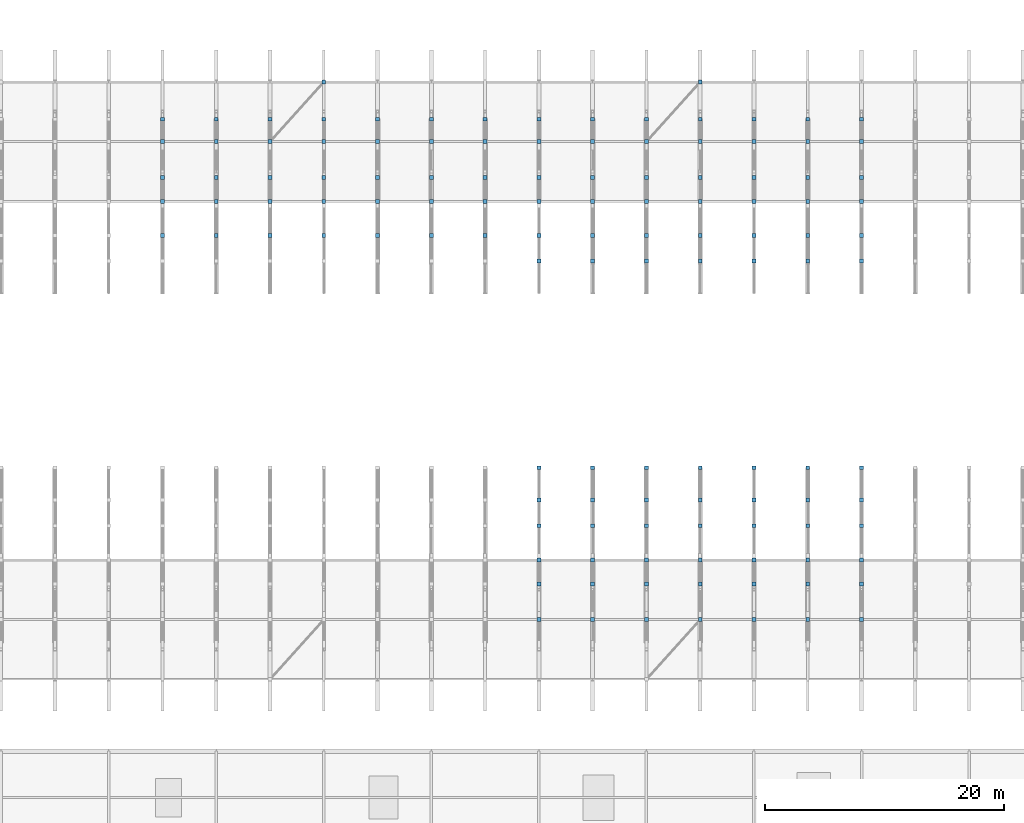
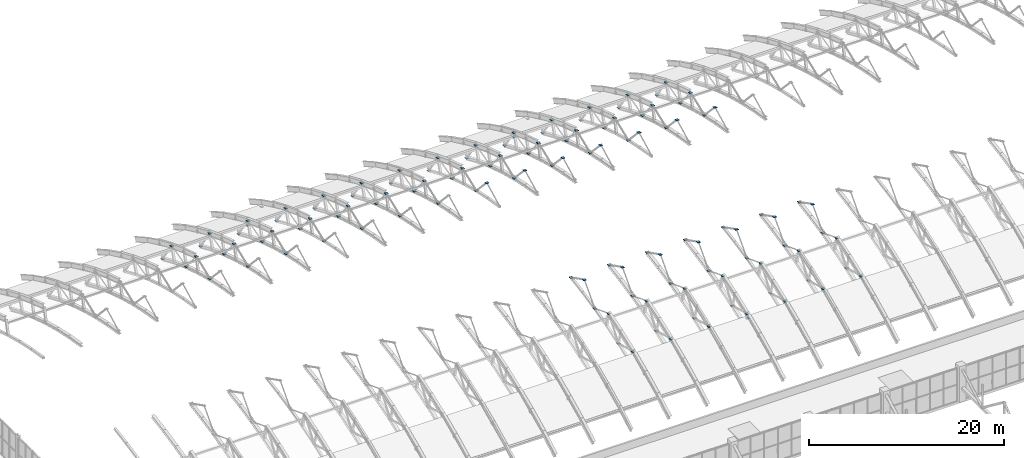
# One storey, part 97 of 103: 124 discrete accessories.
"""IFC4 building model written with IfcOpenShell, lengths in metres."""

from ifc_helpers import new_model, si_unit, direction, frame, origin, origin_2d, place, context, subcontext, project, spatial, rectangle, extrude, material, type_object, element, save


model = new_model("IFC4")

# Units and contexts
model_context = context("Model", 3, precision=1e-05, world=origin(), true_north=direction((0.0, 1.0)))
body_context = subcontext(model_context, "Body", "Model", "MODEL_VIEW")
ifc_project = project(units=[si_unit("LENGTHUNIT", "METRE"), si_unit("AREAUNIT", "SQUARE_METRE"), si_unit("VOLUMEUNIT", "CUBIC_METRE"), si_unit("PLANEANGLEUNIT", "RADIAN"), si_unit("MASSUNIT", "GRAM", prefix="KILO")], contexts=[model_context])

# Site, building, storey
site_placement = place(None, origin())
site = spatial("IfcSite", under=ifc_project, at=site_placement, CompositionType="ELEMENT")
building_placement = place(site_placement, origin())
building = spatial("IfcBuilding", under=site, at=building_placement, Name="Cazmaro Siding Exhibition Halls", CompositionType="ELEMENT")
storey_placement = place(building_placement, frame((0.0, 0.0, 16.5)))
storey = spatial("IfcBuildingStorey", under=building, at=storey_placement, Name="L03", CompositionType="ELEMENT", Elevation=16.5)

# Discrete accessories
ifc_material = material(Name="Steel ASTM A572 Grade 50", Category="steel")
discrete_accessory_type = type_object("IfcDiscreteAccessoryType", Name="GP-CONN-01", PredefinedType="BRACKET", material=ifc_material)
for number, where, z_axis, x_axis, name in (
    (1, (67.5, 106.14990234375, 3.74609375), (0.0, 0.0, 1.0), (1.0, 0.0, 0.0), "Welded Steel Brace Node Gusset Connection GP-01 0175"),
    (2, (67.5, 109.0, 4.83984375), (0.0, 0.0, 1.0), (1.0, 0.0, 0.0), "Welded Steel Brace Node Gusset Connection GP-01 0176"),
    (3, (67.5, 111.009033203125, 2.3251953125), (0.0, 0.0, 1.0), (1.0, 0.0, 0.0), "Welded Steel Brace Node Gusset Connection GP-01 0177"),
    (4, (67.5, 114.0, 3.10693359375), (0.0, 0.0, 1.0), (1.0, 0.0, 0.0), "Welded Steel Brace Node Gusset Connection GP-01 0178"),
    (5, (67.5, 115.868896484375, 0.36376953125), (0.0, 0.0, 1.0), (1.0, 0.0, 0.0), "Welded Steel Brace Node Gusset Connection GP-01 0179"),
    (6, (72.0, 106.14990234375, 3.74609375), (0.0, 0.0, 1.0), (1.0, 0.0, 0.0), "Welded Steel Brace Node Gusset Connection GP-01 0208"),
    (7, (72.0, 109.0, 4.83984375), (0.0, 0.0, 1.0), (1.0, 0.0, 0.0), "Welded Steel Brace Node Gusset Connection GP-01 0209"),
    (8, (72.0, 111.009033203125, 2.3251953125), (0.0, 0.0, 1.0), (1.0, 0.0, 0.0), "Welded Steel Brace Node Gusset Connection GP-01 0210"),
    (9, (72.0, 114.0, 3.10693359375), (0.0, 0.0, 1.0), (1.0, 0.0, 0.0), "Welded Steel Brace Node Gusset Connection GP-01 0211"),
    (10, (72.0, 115.868896484375, 0.36376953125), (0.0, 0.0, 1.0), (1.0, 0.0, 0.0), "Welded Steel Brace Node Gusset Connection GP-01 0212"),
    (11, (76.5, 106.14990234375, 3.74609375), (0.0, 0.0, 1.0), (1.0, 0.0, 0.0), "Welded Steel Brace Node Gusset Connection GP-01 0234"),
    (12, (76.5, 109.0, 4.83984375), (0.0, 0.0, 1.0), (1.0, 0.0, 0.0), "Welded Steel Brace Node Gusset Connection GP-01 0235"),
    (13, (76.5, 111.009033203125, 2.3251953125), (0.0, 0.0, 1.0), (1.0, 0.0, 0.0), "Welded Steel Brace Node Gusset Connection GP-01 0236"),
    (14, (76.5, 114.0, 2.56689453125), (0.0, 0.0, 1.0), (1.0, 0.0, 0.0), "Welded Steel Brace Node Gusset Connection GP-01 0237"),
    (15, (76.5, 114.0, 3.10693359375), (0.0, 0.0, 1.0), (1.0, 0.0, 0.0), "Welded Steel Brace Node Gusset Connection GP-01 0238"),
    (16, (76.5, 115.868896484375, 0.36376953125), (0.0, 0.0, 1.0), (1.0, 0.0, 0.0), "Welded Steel Brace Node Gusset Connection GP-01 0239"),
    (17, (81.0, 106.14990234375, 3.74609375), (0.0, 0.0, 1.0), (1.0, 0.0, 0.0), "Welded Steel Brace Node Gusset Connection GP-01 0271"),
    (18, (81.0, 109.0, 4.83984375), (0.0, 0.0, 1.0), (1.0, 0.0, 0.0), "Welded Steel Brace Node Gusset Connection GP-01 0272"),
    (19, (81.0, 111.009033203125, 2.3251953125), (0.0, 0.0, 1.0), (1.0, 0.0, 0.0), "Welded Steel Brace Node Gusset Connection GP-01 0273"),
    (20, (81.0, 114.0, 3.10693359375), (0.0, 0.0, 1.0), (1.0, 0.0, 0.0), "Welded Steel Brace Node Gusset Connection GP-01 0274"),
    (21, (81.0, 115.868896484375, 0.36376953125), (0.0, 0.0, 1.0), (1.0, 0.0, 0.0), "Welded Steel Brace Node Gusset Connection GP-01 0275"),
    (22, (81.0, 119.0, 0.24609375), (0.0, 0.0, 1.0), (1.0, 0.0, 0.0), "Welded Steel Brace Node Gusset Connection GP-01 0276"),
    (23, (85.5, 106.14990234375, 3.74609375), (0.0, 0.0, 1.0), (1.0, 0.0, 0.0), "Welded Steel Brace Node Gusset Connection GP-01 0294"),
    (24, (85.5, 109.0, 4.83984375), (0.0, 0.0, 1.0), (1.0, 0.0, 0.0), "Welded Steel Brace Node Gusset Connection GP-01 0295"),
    (25, (85.5, 111.009033203125, 2.3251953125), (0.0, 0.0, 1.0), (1.0, 0.0, 0.0), "Welded Steel Brace Node Gusset Connection GP-01 0296"),
    (26, (85.5, 114.0, 3.10693359375), (0.0, 0.0, 1.0), (1.0, 0.0, 0.0), "Welded Steel Brace Node Gusset Connection GP-01 0297"),
    (27, (85.5, 115.868896484375, 0.36376953125), (0.0, 0.0, 1.0), (1.0, 0.0, 0.0), "Welded Steel Brace Node Gusset Connection GP-01 0298"),
    (28, (90.0, 106.14990234375, 3.74609375), (0.0, 0.0, 1.0), (1.0, 0.0, 0.0), "Welded Steel Brace Node Gusset Connection GP-01 0327"),
    (29, (90.0, 109.0, 4.83984375), (0.0, 0.0, 1.0), (1.0, 0.0, 0.0), "Welded Steel Brace Node Gusset Connection GP-01 0328"),
    (30, (90.0, 111.009033203125, 2.3251953125), (0.0, 0.0, 1.0), (1.0, 0.0, 0.0), "Welded Steel Brace Node Gusset Connection GP-01 0329"),
    (31, (90.0, 114.0, 3.10693359375), (0.0, 0.0, 1.0), (1.0, 0.0, 0.0), "Welded Steel Brace Node Gusset Connection GP-01 0330"),
    (32, (90.0, 115.868896484375, 0.36376953125), (0.0, 0.0, 1.0), (1.0, 0.0, 0.0), "Welded Steel Brace Node Gusset Connection GP-01 0331"),
    (33, (94.5, 106.14990234375, 3.74609375), (0.0, 0.0, 1.0), (1.0, 0.0, 0.0), "Welded Steel Brace Node Gusset Connection GP-01 0349"),
    (34, (94.5, 109.0, 4.83984375), (0.0, 0.0, 1.0), (1.0, 0.0, 0.0), "Welded Steel Brace Node Gusset Connection GP-01 0350"),
    (35, (94.5, 111.009033203125, 2.3251953125), (0.0, 0.0, 1.0), (1.0, 0.0, 0.0), "Welded Steel Brace Node Gusset Connection GP-01 0351"),
    (36, (94.5, 114.0, 3.10693359375), (0.0, 0.0, 1.0), (1.0, 0.0, 0.0), "Welded Steel Brace Node Gusset Connection GP-01 0352"),
    (37, (94.5, 115.868896484375, 0.36376953125), (0.0, 0.0, 1.0), (1.0, 0.0, 0.0), "Welded Steel Brace Node Gusset Connection GP-01 0353"),
    (38, (99.0, 74.0, 3.10693359375), (0.0, 0.0, 1.0), (1.0, 0.0, 0.0), "Welded Steel Brace Node Gusset Connection GP-01 0370"),
    (39, (99.0, 76.990966796875, 2.3251953125), (0.0, 0.0, 1.0), (1.0, 0.0, 0.0), "Welded Steel Brace Node Gusset Connection GP-01 0371"),
    (40, (99.0, 79.0, 4.83984375), (0.0, 0.0, 1.0), (1.0, 0.0, 0.0), "Welded Steel Brace Node Gusset Connection GP-01 0372"),
    (41, (99.0, 81.85009765625, 3.74609375), (0.0, 0.0, 1.0), (1.0, 0.0, 0.0), "Welded Steel Brace Node Gusset Connection GP-01 0373"),
    (42, (99.0, 84.0, 6.0419921875), (0.0, 0.0, 1.0), (1.0, 0.0, 0.0), "Welded Steel Brace Node Gusset Connection GP-01 0374"),
    (43, (99.0, 86.7099609375, 4.671875), (0.0, 0.0, 1.0), (1.0, 0.0, 0.0), "Welded Steel Brace Node Gusset Connection GP-01 0375"),
    (44, (99.0, 104.0, 6.0419921875), (0.0, 0.0, 1.0), (1.0, 0.0, 0.0), "Welded Steel Brace Node Gusset Connection GP-01 0381"),
    (45, (99.0, 106.14990234375, 3.74609375), (0.0, 0.0, 1.0), (1.0, 0.0, 0.0), "Welded Steel Brace Node Gusset Connection GP-01 0382"),
    (46, (99.0, 109.0, 4.83984375), (0.0, 0.0, 1.0), (1.0, 0.0, 0.0), "Welded Steel Brace Node Gusset Connection GP-01 0383"),
    (47, (99.0, 111.009033203125, 2.3251953125), (0.0, 0.0, 1.0), (1.0, 0.0, 0.0), "Welded Steel Brace Node Gusset Connection GP-01 0384"),
    (48, (99.0, 114.0, 3.10693359375), (0.0, 0.0, 1.0), (1.0, 0.0, 0.0), "Welded Steel Brace Node Gusset Connection GP-01 0385"),
    (49, (99.0, 115.868896484375, 0.36376953125), (0.0, 0.0, 1.0), (1.0, 0.0, 0.0), "Welded Steel Brace Node Gusset Connection GP-01 0386"),
    (50, (103.5, 74.0, 3.10693359375), (0.0, 0.0, 1.0), (1.0, 0.0, 0.0), "Welded Steel Brace Node Gusset Connection GP-01 0392"),
    (51, (103.5, 76.990966796875, 2.3251953125), (0.0, 0.0, 1.0), (1.0, 0.0, 0.0), "Welded Steel Brace Node Gusset Connection GP-01 0393"),
    (52, (103.5, 79.0, 4.83984375), (0.0, 0.0, 1.0), (1.0, 0.0, 0.0), "Welded Steel Brace Node Gusset Connection GP-01 0394"),
    (53, (103.5, 81.85009765625, 3.74609375), (0.0, 0.0, 1.0), (1.0, 0.0, 0.0), "Welded Steel Brace Node Gusset Connection GP-01 0395"),
    (54, (103.5, 84.0, 6.0419921875), (0.0, 0.0, 1.0), (1.0, 0.0, 0.0), "Welded Steel Brace Node Gusset Connection GP-01 0396"),
    (55, (103.5, 86.7099609375, 4.671875), (0.0, 0.0, 1.0), (1.0, 0.0, 0.0), "Welded Steel Brace Node Gusset Connection GP-01 0397"),
    (56, (103.5, 104.0, 6.0419921875), (0.0, 0.0, 1.0), (1.0, 0.0, 0.0), "Welded Steel Brace Node Gusset Connection GP-01 0403"),
    (57, (103.5, 106.14990234375, 3.74609375), (0.0, 0.0, 1.0), (1.0, 0.0, 0.0), "Welded Steel Brace Node Gusset Connection GP-01 0404"),
    (58, (103.5, 109.0, 4.83984375), (0.0, 0.0, 1.0), (1.0, 0.0, 0.0), "Welded Steel Brace Node Gusset Connection GP-01 0405"),
    (59, (103.5, 111.009033203125, 2.3251953125), (0.0, 0.0, 1.0), (1.0, 0.0, 0.0), "Welded Steel Brace Node Gusset Connection GP-01 0406"),
    (60, (103.5, 114.0, 3.10693359375), (0.0, 0.0, 1.0), (1.0, 0.0, 0.0), "Welded Steel Brace Node Gusset Connection GP-01 0407"),
    (61, (103.5, 115.868896484375, 0.36376953125), (0.0, 0.0, 1.0), (1.0, 0.0, 0.0), "Welded Steel Brace Node Gusset Connection GP-01 0408"),
    (62, (108.0, 74.0, 3.10693359375), (0.0, 0.0, 1.0), (1.0, 0.0, 0.0), "Welded Steel Brace Node Gusset Connection GP-01 0427"),
    (63, (108.0, 76.990966796875, 2.3251953125), (0.0, 0.0, 1.0), (1.0, 0.0, 0.0), "Welded Steel Brace Node Gusset Connection GP-01 0428"),
    (64, (108.0, 79.0, 4.83984375), (0.0, 0.0, 1.0), (1.0, 0.0, 0.0), "Welded Steel Brace Node Gusset Connection GP-01 0429"),
    (65, (108.0, 81.85009765625, 3.74609375), (0.0, 0.0, 1.0), (1.0, 0.0, 0.0), "Welded Steel Brace Node Gusset Connection GP-01 0430"),
    (66, (108.0, 84.0, 6.0419921875), (0.0, 0.0, 1.0), (1.0, 0.0, 0.0), "Welded Steel Brace Node Gusset Connection GP-01 0431"),
    (67, (108.0, 86.7099609375, 4.671875), (0.0, 0.0, 1.0), (1.0, 0.0, 0.0), "Welded Steel Brace Node Gusset Connection GP-01 0432"),
    (68, (108.0, 104.0, 6.0419921875), (0.0, 0.0, 1.0), (1.0, 0.0, 0.0), "Welded Steel Brace Node Gusset Connection GP-01 0440"),
    (69, (108.0, 106.14990234375, 3.74609375), (0.0, 0.0, 1.0), (1.0, 0.0, 0.0), "Welded Steel Brace Node Gusset Connection GP-01 0441"),
    (70, (108.0, 109.0, 4.83984375), (0.0, 0.0, 1.0), (1.0, 0.0, 0.0), "Welded Steel Brace Node Gusset Connection GP-01 0442"),
    (71, (108.0, 111.009033203125, 2.3251953125), (0.0, 0.0, 1.0), (1.0, 0.0, 0.0), "Welded Steel Brace Node Gusset Connection GP-01 0443"),
    (72, (108.0, 114.0, 2.56689453125), (0.0, 0.0, 1.0), (1.0, 0.0, 0.0), "Welded Steel Brace Node Gusset Connection GP-01 0444"),
    (73, (108.0, 114.0, 3.10693359375), (0.0, 0.0, 1.0), (1.0, 0.0, 0.0), "Welded Steel Brace Node Gusset Connection GP-01 0445"),
    (74, (108.0, 115.868896484375, 0.36376953125), (0.0, 0.0, 1.0), (1.0, 0.0, 0.0), "Welded Steel Brace Node Gusset Connection GP-01 0446"),
    (75, (112.5, 74.0, 2.56689453125), (0.0, 0.0, 1.0), (1.0, 0.0, 0.0), "Welded Steel Brace Node Gusset Connection GP-01 0453"),
    (76, (112.5, 74.0, 3.10693359375), (0.0, 0.0, 1.0), (1.0, 0.0, 0.0), "Welded Steel Brace Node Gusset Connection GP-01 0454"),
    (77, (112.5, 76.990966796875, 2.3251953125), (0.0, 0.0, 1.0), (1.0, 0.0, 0.0), "Welded Steel Brace Node Gusset Connection GP-01 0455"),
    (78, (112.5, 79.0, 4.83984375), (0.0, 0.0, 1.0), (1.0, 0.0, 0.0), "Welded Steel Brace Node Gusset Connection GP-01 0456"),
    (79, (112.5, 81.85009765625, 3.74609375), (0.0, 0.0, 1.0), (1.0, 0.0, 0.0), "Welded Steel Brace Node Gusset Connection GP-01 0457"),
    (80, (112.5, 84.0, 6.0419921875), (0.0, 0.0, 1.0), (1.0, 0.0, 0.0), "Welded Steel Brace Node Gusset Connection GP-01 0458"),
    (81, (112.5, 86.7099609375, 4.671875), (0.0, 0.0, 1.0), (1.0, 0.0, 0.0), "Welded Steel Brace Node Gusset Connection GP-01 0459"),
    (82, (112.5, 104.0, 6.0419921875), (0.0, 0.0, 1.0), (1.0, 0.0, 0.0), "Welded Steel Brace Node Gusset Connection GP-01 0466"),
    (83, (112.5, 106.14990234375, 3.74609375), (0.0, 0.0, 1.0), (1.0, 0.0, 0.0), "Welded Steel Brace Node Gusset Connection GP-01 0467"),
    (84, (112.5, 109.0, 4.83984375), (0.0, 0.0, 1.0), (1.0, 0.0, 0.0), "Welded Steel Brace Node Gusset Connection GP-01 0468"),
    (85, (112.5, 111.009033203125, 2.3251953125), (0.0, 0.0, 1.0), (1.0, 0.0, 0.0), "Welded Steel Brace Node Gusset Connection GP-01 0469"),
    (86, (112.5, 114.0, 3.10693359375), (0.0, 0.0, 1.0), (1.0, 0.0, 0.0), "Welded Steel Brace Node Gusset Connection GP-01 0470"),
    (87, (112.5, 115.868896484375, 0.36376953125), (0.0, 0.0, 1.0), (1.0, 0.0, 0.0), "Welded Steel Brace Node Gusset Connection GP-01 0471"),
    (88, (112.5, 119.0, 0.24609375), (0.0, 0.0, 1.0), (1.0, 0.0, 0.0), "Welded Steel Brace Node Gusset Connection GP-01 0472"),
    (89, (117.0, 74.0, 3.10693359375), (0.0, 0.0, 1.0), (1.0, 0.0, 0.0), "Welded Steel Brace Node Gusset Connection GP-01 0489"),
    (90, (117.0, 76.990966796875, 2.3251953125), (0.0, 0.0, 1.0), (1.0, 0.0, 0.0), "Welded Steel Brace Node Gusset Connection GP-01 0490"),
    (91, (117.0, 79.0, 4.83984375), (0.0, 0.0, 1.0), (1.0, 0.0, 0.0), "Welded Steel Brace Node Gusset Connection GP-01 0491"),
    (92, (117.0, 81.85009765625, 3.74609375), (0.0, 0.0, 1.0), (1.0, 0.0, 0.0), "Welded Steel Brace Node Gusset Connection GP-01 0492"),
    (93, (117.0, 84.0, 6.0419921875), (0.0, 0.0, 1.0), (1.0, 0.0, 0.0), "Welded Steel Brace Node Gusset Connection GP-01 0493"),
    (94, (117.0, 86.7099609375, 4.671875), (0.0, 0.0, 1.0), (1.0, 0.0, 0.0), "Welded Steel Brace Node Gusset Connection GP-01 0494"),
    (95, (117.0, 104.0, 6.0419921875), (0.0, 0.0, 1.0), (1.0, 0.0, 0.0), "Welded Steel Brace Node Gusset Connection GP-01 0500"),
    (96, (117.0, 106.14990234375, 3.74609375), (0.0, 0.0, 1.0), (1.0, 0.0, 0.0), "Welded Steel Brace Node Gusset Connection GP-01 0501"),
    (97, (117.0, 109.0, 4.83984375), (0.0, 0.0, 1.0), (1.0, 0.0, 0.0), "Welded Steel Brace Node Gusset Connection GP-01 0502"),
    (98, (117.0, 111.009033203125, 2.3251953125), (0.0, 0.0, 1.0), (1.0, 0.0, 0.0), "Welded Steel Brace Node Gusset Connection GP-01 0503"),
    (99, (117.0, 114.0, 3.10693359375), (0.0, 0.0, 1.0), (1.0, 0.0, 0.0), "Welded Steel Brace Node Gusset Connection GP-01 0504"),
    (100, (117.0, 115.868896484375, 0.36376953125), (0.0, 0.0, 1.0), (1.0, 0.0, 0.0), "Welded Steel Brace Node Gusset Connection GP-01 0505"),
    (101, (121.5, 74.0, 3.10693359375), (0.0, 0.0, 1.0), (1.0, 0.0, 0.0), "Welded Steel Brace Node Gusset Connection GP-01 0511"),
    (102, (121.5, 76.990966796875, 2.3251953125), (0.0, 0.0, 1.0), (1.0, 0.0, 0.0), "Welded Steel Brace Node Gusset Connection GP-01 0512"),
    (103, (121.5, 79.0, 4.83984375), (0.0, 0.0, 1.0), (1.0, 0.0, 0.0), "Welded Steel Brace Node Gusset Connection GP-01 0513"),
    (104, (121.5, 81.85009765625, 3.74609375), (0.0, 0.0, 1.0), (1.0, 0.0, 0.0), "Welded Steel Brace Node Gusset Connection GP-01 0514"),
    (105, (121.5, 84.0, 6.0419921875), (0.0, 0.0, 1.0), (1.0, 0.0, 0.0), "Welded Steel Brace Node Gusset Connection GP-01 0515"),
    (106, (121.5, 86.7099609375, 4.671875), (0.0, 0.0, 1.0), (1.0, 0.0, 0.0), "Welded Steel Brace Node Gusset Connection GP-01 0516"),
    (107, (121.5, 104.0, 6.0419921875), (0.0, 0.0, 1.0), (1.0, 0.0, 0.0), "Welded Steel Brace Node Gusset Connection GP-01 0522"),
    (108, (121.5, 106.14990234375, 3.74609375), (0.0, 0.0, 1.0), (1.0, 0.0, 0.0), "Welded Steel Brace Node Gusset Connection GP-01 0523"),
    (109, (121.5, 109.0, 4.83984375), (0.0, 0.0, 1.0), (1.0, 0.0, 0.0), "Welded Steel Brace Node Gusset Connection GP-01 0524"),
    (110, (121.5, 111.009033203125, 2.3251953125), (0.0, 0.0, 1.0), (1.0, 0.0, 0.0), "Welded Steel Brace Node Gusset Connection GP-01 0525"),
    (111, (121.5, 114.0, 3.10693359375), (0.0, 0.0, 1.0), (1.0, 0.0, 0.0), "Welded Steel Brace Node Gusset Connection GP-01 0526"),
    (112, (121.5, 115.868896484375, 0.36376953125), (0.0, 0.0, 1.0), (1.0, 0.0, 0.0), "Welded Steel Brace Node Gusset Connection GP-01 0527"),
    (113, (126.0, 74.0, 3.10693359375), (0.0, 0.0, 1.0), (1.0, 0.0, 0.0), "Welded Steel Brace Node Gusset Connection GP-01 0544"),
    (114, (126.0, 76.990966796875, 2.3251953125), (0.0, 0.0, 1.0), (1.0, 0.0, 0.0), "Welded Steel Brace Node Gusset Connection GP-01 0545"),
    (115, (126.0, 79.0, 4.83984375), (0.0, 0.0, 1.0), (1.0, 0.0, 0.0), "Welded Steel Brace Node Gusset Connection GP-01 0546"),
    (116, (126.0, 81.85009765625, 3.74609375), (0.0, 0.0, 1.0), (1.0, 0.0, 0.0), "Welded Steel Brace Node Gusset Connection GP-01 0547"),
    (117, (126.0, 84.0, 6.0419921875), (0.0, 0.0, 1.0), (1.0, 0.0, 0.0), "Welded Steel Brace Node Gusset Connection GP-01 0548"),
    (118, (126.0, 86.7099609375, 4.671875), (0.0, 0.0, 1.0), (1.0, 0.0, 0.0), "Welded Steel Brace Node Gusset Connection GP-01 0549"),
    (119, (126.0, 104.0, 6.0419921875), (0.0, 0.0, 1.0), (1.0, 0.0, 0.0), "Welded Steel Brace Node Gusset Connection GP-01 0555"),
    (120, (126.0, 106.14990234375, 3.74609375), (0.0, 0.0, 1.0), (1.0, 0.0, 0.0), "Welded Steel Brace Node Gusset Connection GP-01 0556"),
    (121, (126.0, 109.0, 4.83984375), (0.0, 0.0, 1.0), (1.0, 0.0, 0.0), "Welded Steel Brace Node Gusset Connection GP-01 0557"),
    (122, (126.0, 111.009033203125, 2.3251953125), (0.0, 0.0, 1.0), (1.0, 0.0, 0.0), "Welded Steel Brace Node Gusset Connection GP-01 0558"),
    (123, (126.0, 114.0, 3.10693359375), (0.0, 0.0, 1.0), (1.0, 0.0, 0.0), "Welded Steel Brace Node Gusset Connection GP-01 0559"),
    (124, (126.0, 115.868896484375, 0.36376953125), (0.0, 0.0, 1.0), (1.0, 0.0, 0.0), "Welded Steel Brace Node Gusset Connection GP-01 0560"),
):
    element("IfcDiscreteAccessory", number, at=place(storey_placement, frame(where, z_axis=z_axis, x_axis=x_axis)), inside=storey, type_object=discrete_accessory_type, Name=name, PredefinedType="BRACKET", context=body_context, shape_type="SweptSolid", body=[
        extrude(rectangle(XDim=0.320068359375, YDim=0.320068359375, at=origin_2d()), origin(), (0.0, 0.0, 1.0), 0.030029296875),
    ])

save(model, "model.ifc")
